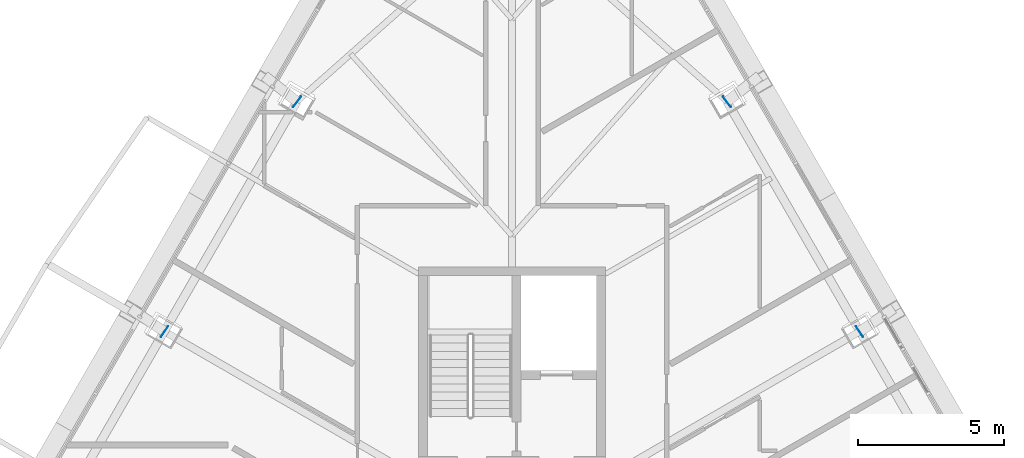
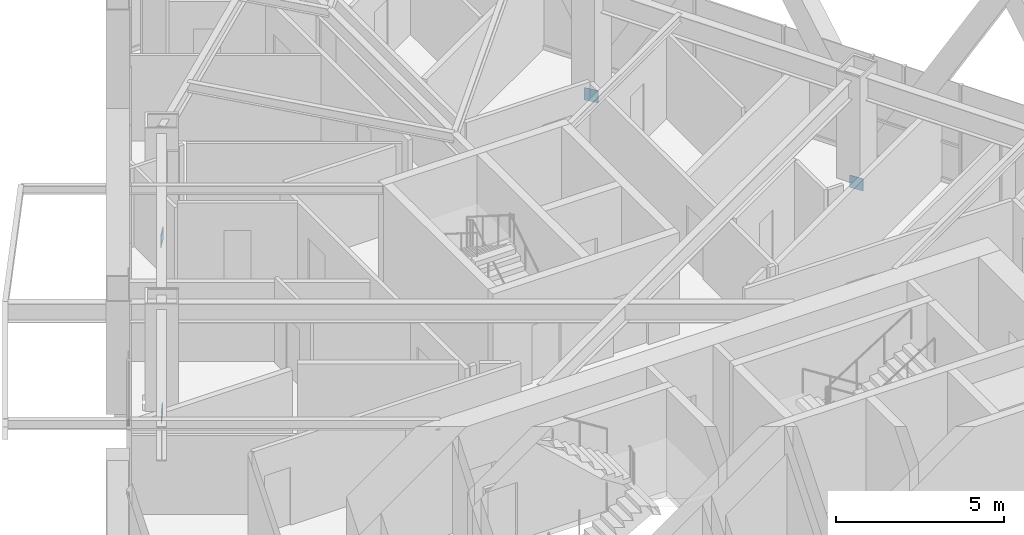
# One storey, part 24 of 26: 4 discrete accessories.
"""IFC4 building model written with IfcOpenShell, lengths in metres."""

from ifc_helpers import new_model, si_unit, direction, frame, origin, origin_2d, place, context, subcontext, project, spatial, rectangle, extrude, material, layer, layer_set, type_object, element, save


model = new_model("IFC4")

# Units and contexts
model_context = context("Model", 3, precision=1e-05, world=origin(), true_north=direction((0.0, 1.0)))
body_context = subcontext(model_context, "Body", "Model", "MODEL_VIEW")
ifc_project = project(units=[si_unit("LENGTHUNIT", "METRE"), si_unit("AREAUNIT", "SQUARE_METRE"), si_unit("VOLUMEUNIT", "CUBIC_METRE"), si_unit("PLANEANGLEUNIT", "RADIAN"), si_unit("MASSUNIT", "GRAM", prefix="KILO")], contexts=[model_context])

# Site, building, storey
site_placement = place(None, origin())
site = spatial("IfcSite", under=ifc_project, at=site_placement, CompositionType="ELEMENT")
building_placement = place(site_placement, origin())
building = spatial("IfcBuilding", under=site, at=building_placement, Name="Firuza Gate Tower and Library", CompositionType="ELEMENT")
storey_placement = place(building_placement, frame((0.0, 0.0, 155.800048828125)))
storey = spatial("IfcBuildingStorey", under=building, at=storey_placement, Name="L35", CompositionType="ELEMENT", Elevation=155.800048828125)

# Discrete accessories
ifc_material = material(Name="Steel S355", Category="steel")
ifc_layer = layer(ifc_material, 0.02001953125)
ifc_layer_set = layer_set([ifc_layer], Name="Tie end plate 450x450x20 Steel S355")
discrete_accessory_type = type_object("IfcDiscreteAccessoryType", Name="Tie end plate 450x450x20 Steel S355", PredefinedType="BRACKET", material=ifc_layer_set)
for number, where, z_axis, x_axis, name in (
    (1, (82.36279296875, 100.264892578125, -0.56298828125), (0.0, 0.0, 1.0), (-0.786057347516, -0.618153578341, 0.0), "Tie end plate"),
    (2, (86.912353515625, 92.384521484375, -0.56298828125), (0.0, 0.0, 1.0), (-0.827946175479, -0.560807569947, 0.0), "Tie end plate"),
    (3, (63.087646484375, 92.384521484375, -0.56298828125), (0.0, 0.0, 1.0), (0.827946175479, -0.560807569947, 0.0), "Tie end plate"),
    (4, (67.63720703125, 100.264892578125, -0.56298828125), (0.0, 0.0, 1.0), (0.786057347516, -0.618153578341, 0.0), "Tie end plate"),
):
    element("IfcDiscreteAccessory", number, at=place(storey_placement, frame(where, z_axis=z_axis, x_axis=x_axis)), inside=storey, type_object=discrete_accessory_type, Name=name, PredefinedType="BRACKET", context=body_context, shape_type="SweptSolid", body=[
        extrude(rectangle(XDim=0.02001953125, YDim=0.446044921875, at=origin_2d()), origin(), (0.0, 0.0, 1.0), 0.446044921875),
    ])

save(model, "model.ifc")
